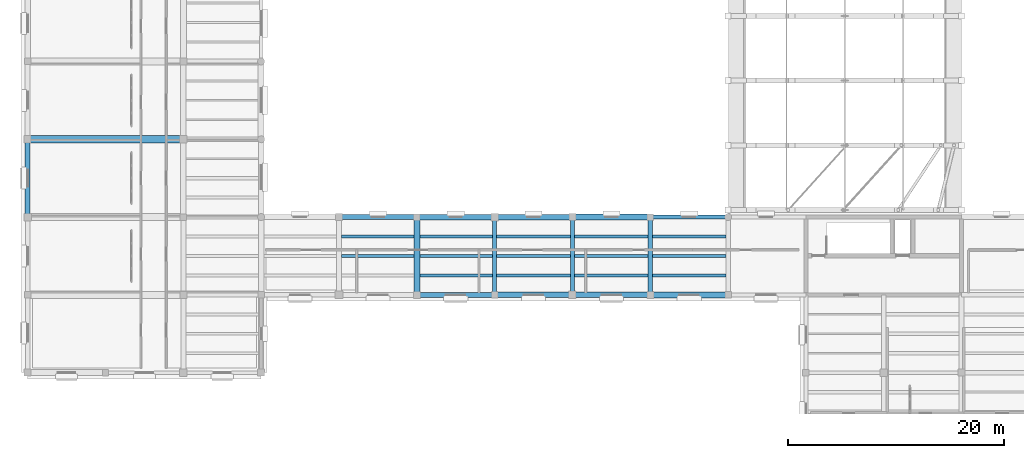
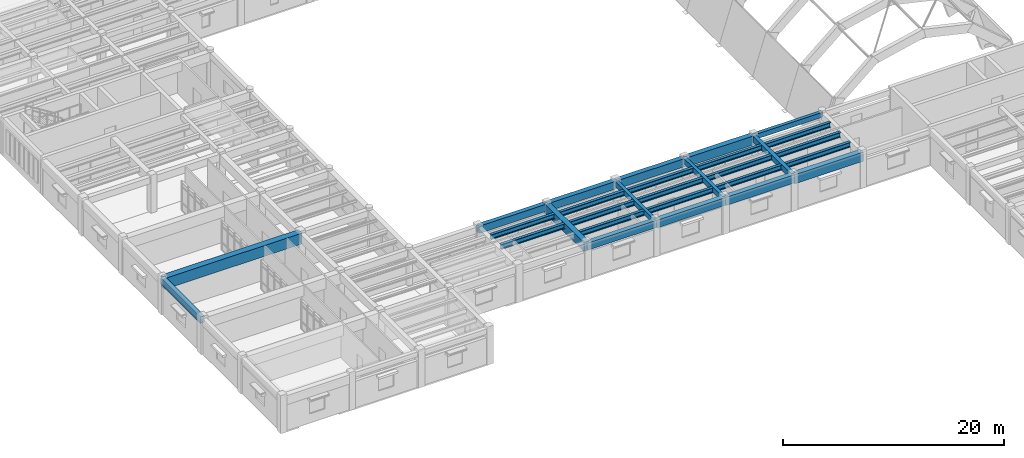
# One storey, part 3 of 66: 29 beams.
"""IFC4 building model written with IfcOpenShell, lengths in metres."""

from ifc_helpers import new_model, si_unit, direction, frame, origin, origin_2d, place, context, subcontext, project, spatial, rectangle, i_section, extrude, material, material_profile, profile_set, type_object, element, save


model = new_model("IFC4")

# Units and contexts
model_context = context("Model", 3, precision=1e-05, world=origin(), true_north=direction((0.0, 1.0)))
body_context = subcontext(model_context, "Body", "Model", "MODEL_VIEW")
ifc_project = project(units=[si_unit("LENGTHUNIT", "METRE"), si_unit("AREAUNIT", "SQUARE_METRE"), si_unit("VOLUMEUNIT", "CUBIC_METRE"), si_unit("PLANEANGLEUNIT", "RADIAN"), si_unit("MASSUNIT", "GRAM", prefix="KILO")], contexts=[model_context])

# Site, building, storey
site_placement = place(None, origin())
site = spatial("IfcSite", under=ifc_project, at=site_placement, CompositionType="ELEMENT")
building_placement = place(site_placement, origin())
building = spatial("IfcBuilding", under=site, at=building_placement, Name="Mithqara Police Headquarters", CompositionType="ELEMENT")
storey_placement = place(building_placement, frame((0.0, 0.0, 9.60009765625)))
storey = spatial("IfcBuildingStorey", under=building, at=storey_placement, Name="L02", CompositionType="ELEMENT", Elevation=9.60009765625)

# Beams
ifc_material_1 = material(Name="Steel S355JR", Category="steel")
ifc_material_profile_1 = material_profile(ifc_material_1, i_section(OverallWidth=0.300048828125, OverallDepth=0.550048828125, WebThickness=0.014892578125, FlangeThickness=0.029052734375, FilletRadius=0.027099609375, at=origin_2d()), Name="HEB 550")
ifc_profile_set_1 = profile_set([ifc_material_profile_1], Name="Steel S355JR")
beam_type_1 = type_object("IfcBeamType", Name="BEAM HEB550", PredefinedType="BEAM", material=ifc_profile_set_1)
for number, where, z_axis, x_axis, name in (
    (1, (36.85009765625, 31.800048828125, 3.664794921875), (1.0, 0.0, 0.0), (0.0, 1.0, 0.0), "L02 Composite Steel Joist 6-7/E.2"),
    (2, (36.85009765625, 33.60009765625, 3.664794921875), (1.0, 0.0, 0.0), (0.0, 1.0, 0.0), "L02 Composite Steel Joist 6-7/E.3"),
):
    element("IfcBeam", number, at=place(storey_placement, frame(where, z_axis=z_axis, x_axis=x_axis)), inside=storey, type_object=beam_type_1, Name=name, PredefinedType="BEAM", context=body_context, shape_type="SweptSolid", body=[
        extrude(i_section(OverallWidth=0.300048828125, OverallDepth=0.550048828125, WebThickness=0.014892578125, FlangeThickness=0.029052734375, FilletRadius=0.027099609375, at=origin_2d()), origin(), (0.0, 0.0, 1.0), 6.6748046875),
    ])
for number, where, z_axis, x_axis, name in (
    (3, (44.074951171875, 30.0, 3.664794921875), (1.0, 0.0, 0.0), (0.0, 1.0, 0.0), "L02 Composite Steel Joist 7-8/E.1"),
    (4, (44.074951171875, 31.800048828125, 3.664794921875), (1.0, 0.0, 0.0), (0.0, 1.0, 0.0), "L02 Composite Steel Joist 7-8/E.2"),
    (5, (44.074951171875, 33.60009765625, 3.664794921875), (1.0, 0.0, 0.0), (0.0, 1.0, 0.0), "L02 Composite Steel Joist 7-8/E.3"),
):
    element("IfcBeam", number, at=place(storey_placement, frame(where, z_axis=z_axis, x_axis=x_axis)), inside=storey, type_object=beam_type_1, Name=name, PredefinedType="BEAM", context=body_context, shape_type="SweptSolid", body=[
        extrude(i_section(OverallWidth=0.300048828125, OverallDepth=0.550048828125, WebThickness=0.014892578125, FlangeThickness=0.029052734375, FilletRadius=0.027099609375, at=origin_2d()), origin(), (0.0, 0.0, 1.0), 6.75),
    ])
for number, where, z_axis, x_axis, name in (
    (6, (51.175048828125, 30.0, 3.664794921875), (1.0, 0.0, 0.0), (0.0, 1.0, 0.0), "L02 Composite Steel Joist 8-9/E.1"),
    (7, (51.175048828125, 31.800048828125, 3.664794921875), (1.0, 0.0, 0.0), (0.0, 1.0, 0.0), "L02 Composite Steel Joist 8-9/E.2"),
    (8, (51.175048828125, 33.60009765625, 3.664794921875), (1.0, 0.0, 0.0), (0.0, 1.0, 0.0), "L02 Composite Steel Joist 8-9/E.3"),
):
    element("IfcBeam", number, at=place(storey_placement, frame(where, z_axis=z_axis, x_axis=x_axis)), inside=storey, type_object=beam_type_1, Name=name, PredefinedType="BEAM", context=body_context, shape_type="SweptSolid", body=[
        extrude(i_section(OverallWidth=0.300048828125, OverallDepth=0.550048828125, WebThickness=0.014892578125, FlangeThickness=0.029052734375, FilletRadius=0.027099609375, at=origin_2d()), origin(), (0.0, 0.0, 1.0), 6.849853515625),
    ])
for number, where, z_axis, x_axis, name in (
    (9, (58.375, 30.0, 3.664794921875), (1.0, 0.0, 0.0), (0.0, 1.0, 0.0), "L02 Composite Steel Joist 9-10/E.1"),
    (10, (58.375, 31.800048828125, 3.664794921875), (1.0, 0.0, 0.0), (0.0, 1.0, 0.0), "L02 Composite Steel Joist 9-10/E.2"),
    (11, (58.375, 33.60009765625, 3.664794921875), (1.0, 0.0, 0.0), (0.0, 1.0, 0.0), "L02 Composite Steel Joist 9-10/E.3"),
):
    element("IfcBeam", number, at=place(storey_placement, frame(where, z_axis=z_axis, x_axis=x_axis)), inside=storey, type_object=beam_type_1, Name=name, PredefinedType="BEAM", context=body_context, shape_type="SweptSolid", body=[
        extrude(i_section(OverallWidth=0.300048828125, OverallDepth=0.550048828125, WebThickness=0.014892578125, FlangeThickness=0.029052734375, FilletRadius=0.027099609375, at=origin_2d()), origin(), (0.0, 0.0, 1.0), 6.824951171875),
    ])
for number, where, z_axis, x_axis, name in (
    (12, (65.60009765625, 30.0, 3.664794921875), (1.0, 0.0, 0.0), (0.0, 1.0, 0.0), "L02 Composite Steel Joist 10-11/E.1"),
    (13, (65.60009765625, 31.800048828125, 3.664794921875), (1.0, 0.0, 0.0), (0.0, 1.0, 0.0), "L02 Composite Steel Joist 10-11/E.2"),
    (14, (65.60009765625, 33.60009765625, 3.664794921875), (1.0, 0.0, 0.0), (0.0, 1.0, 0.0), "L02 Composite Steel Joist 10-11/E.3"),
):
    element("IfcBeam", number, at=place(storey_placement, frame(where, z_axis=z_axis, x_axis=x_axis)), inside=storey, type_object=beam_type_1, Name=name, PredefinedType="BEAM", context=body_context, shape_type="SweptSolid", body=[
        extrude(i_section(OverallWidth=0.300048828125, OverallDepth=0.550048828125, WebThickness=0.014892578125, FlangeThickness=0.029052734375, FilletRadius=0.027099609375, at=origin_2d()), origin(), (0.0, 0.0, 1.0), 6.7998046875),
    ])
ifc_material_2 = material(Name="Concrete C40/50", Category="concrete")
ifc_material_profile_2 = material_profile(ifc_material_2, rectangle(XDim=0.35009765625, YDim=0.550048828125, at=origin_2d()), Name="RC 350x550")
ifc_profile_set_2 = profile_set([ifc_material_profile_2], Name="Concrete C40/50")
beam_type_2 = type_object("IfcBeamType", Name="BEAM RC350X550", PredefinedType="BEAM", material=ifc_profile_set_2)
beam_1_placement = place(storey_placement, frame((51.0, 28.199951171875, 3.664794921875), z_axis=(0.0, 1.0, 0.0), x_axis=(-1.0, 0.0, 0.0)))
element("IfcBeam", 15, at=beam_1_placement, inside=storey, type_object=beam_type_2, Name="L02 Girder 8/E-F", PredefinedType="BEAM", context=body_context, shape_type="SweptSolid", body=[
    extrude(rectangle(XDim=0.35009765625, YDim=0.550048828125, at=origin_2d()), origin(), (0.0, 0.0, 1.0), 7.199951171875),
])
beam_2_placement = place(storey_placement, frame((65.39990234375, 35.39990234375, 3.664794921875), z_axis=(1.0, 0.0, 0.0), x_axis=(0.0, 1.0, 0.0)))
element("IfcBeam", 16, at=beam_2_placement, inside=storey, type_object=beam_type_2, Name="L02 Girder 10-11/F", PredefinedType="BEAM", context=body_context, shape_type="SweptSolid", body=[
    extrude(rectangle(XDim=0.35009765625, YDim=0.550048828125, at=origin_2d()), origin(), (0.0, 0.0, 1.0), 7.2001953125),
])
ifc_material_profile_3 = material_profile(ifc_material_2, rectangle(XDim=0.35009765625, YDim=0.60009765625, at=origin_2d()), Name="RC 350x600")
ifc_profile_set_3 = profile_set([ifc_material_profile_3], Name="Concrete C40/50")
beam_type_3 = type_object("IfcBeamType", Name="BEAM RC350X600", PredefinedType="BEAM", material=ifc_profile_set_3)
beam_3_placement = place(storey_placement, frame((58.199951171875, 28.199951171875, 3.639892578125), z_axis=(0.0, 1.0, 0.0), x_axis=(-1.0, 0.0, 0.0)))
element("IfcBeam", 17, at=beam_3_placement, inside=storey, type_object=beam_type_3, Name="L02 Girder 9/E-F", PredefinedType="BEAM", context=body_context, shape_type="SweptSolid", body=[
    extrude(rectangle(XDim=0.35009765625, YDim=0.60009765625, at=origin_2d()), origin(), (0.0, 0.0, 1.0), 7.199951171875),
])
ifc_material_profile_4 = material_profile(ifc_material_2, rectangle(XDim=0.39990234375, YDim=0.64990234375, at=origin_2d()), Name="RC 400x650")
ifc_profile_set_4 = profile_set([ifc_material_profile_4], Name="Concrete C40/50")
beam_type_4 = type_object("IfcBeamType", Name="BEAM RC400X650", PredefinedType="BEAM", material=ifc_profile_set_4)
beam_4_placement = place(storey_placement, frame((65.39990234375, 28.199951171875, 3.614990234375), z_axis=(0.0, 1.0, 0.0), x_axis=(-1.0, 0.0, 0.0)))
element("IfcBeam", 18, at=beam_4_placement, inside=storey, type_object=beam_type_4, Name="L02 Girder 10/E-F", PredefinedType="BEAM", context=body_context, shape_type="SweptSolid", body=[
    extrude(rectangle(XDim=0.39990234375, YDim=0.64990234375, at=origin_2d()), origin(), (0.0, 0.0, 1.0), 7.199951171875),
])
ifc_material_profile_5 = material_profile(ifc_material_2, rectangle(XDim=0.449951171875, YDim=0.699951171875, at=origin_2d()), Name="RC 450x700")
ifc_profile_set_5 = profile_set([ifc_material_profile_5], Name="Concrete C40/50")
beam_type_5 = type_object("IfcBeamType", Name="BEAM RC450X700", PredefinedType="BEAM", material=ifc_profile_set_5)
beam_5_placement = place(storey_placement, frame((7.800048828125, 35.39990234375, 3.58984375), z_axis=(0.0, 1.0, 0.0), x_axis=(-1.0, 0.0, 0.0)))
element("IfcBeam", 19, at=beam_5_placement, inside=storey, type_object=beam_type_5, Name="L02 Girder 2/F-G", PredefinedType="BEAM", context=body_context, shape_type="SweptSolid", body=[
    extrude(rectangle(XDim=0.449951171875, YDim=0.699951171875, at=origin_2d()), origin(), (0.0, 0.0, 1.0), 7.2001953125),
])
ifc_material_profile_6 = material_profile(ifc_material_2, rectangle(XDim=0.449951171875, YDim=0.800048828125, at=origin_2d()), Name="RC 450x800")
ifc_profile_set_6 = profile_set([ifc_material_profile_6], Name="Concrete C40/50")
beam_type_6 = type_object("IfcBeamType", Name="BEAM RC450X800", PredefinedType="BEAM", material=ifc_profile_set_6)
for number, where, z_axis, x_axis, name in (
    (20, (36.60009765625, 35.39990234375, 3.539794921875), (1.0, 0.0, 0.0), (0.0, 1.0, 0.0), "L02 Girder 6-7/F"),
    (21, (43.800048828125, 28.199951171875, 3.539794921875), (1.0, 0.0, 0.0), (0.0, 1.0, 0.0), "L02 Girder 7-8/E"),
):
    element("IfcBeam", number, at=place(storey_placement, frame(where, z_axis=z_axis, x_axis=x_axis)), inside=storey, type_object=beam_type_6, Name=name, PredefinedType="BEAM", context=body_context, shape_type="SweptSolid", body=[
        extrude(rectangle(XDim=0.449951171875, YDim=0.800048828125, at=origin_2d()), origin(), (0.0, 0.0, 1.0), 7.199951171875),
    ])
ifc_material_profile_7 = material_profile(ifc_material_2, rectangle(XDim=0.5, YDim=0.85009765625, at=origin_2d()), Name="RC 500x850")
ifc_profile_set_7 = profile_set([ifc_material_profile_7], Name="Concrete C40/50")
beam_type_7 = type_object("IfcBeamType", Name="BEAM RC500X850", PredefinedType="BEAM", material=ifc_profile_set_7)
for number, where, z_axis, x_axis, name in (
    (22, (43.800048828125, 35.39990234375, 3.514892578125), (1.0, 0.0, 0.0), (0.0, 1.0, 0.0), "L02 Girder 7-8/F"),
    (23, (51.0, 28.199951171875, 3.514892578125), (1.0, 0.0, 0.0), (0.0, 1.0, 0.0), "L02 Girder 8-9/E"),
):
    element("IfcBeam", number, at=place(storey_placement, frame(where, z_axis=z_axis, x_axis=x_axis)), inside=storey, type_object=beam_type_7, Name=name, PredefinedType="BEAM", context=body_context, shape_type="SweptSolid", body=[
        extrude(rectangle(XDim=0.5, YDim=0.85009765625, at=origin_2d()), origin(), (0.0, 0.0, 1.0), 7.199951171875),
    ])
ifc_material_3 = material(Name="Concrete C50/60", Category="concrete")
ifc_material_profile_8 = material_profile(ifc_material_3, rectangle(XDim=0.5, YDim=0.89990234375, at=origin_2d()), Name="RC 500x900")
ifc_profile_set_8 = profile_set([ifc_material_profile_8], Name="Concrete C50/60")
beam_type_8 = type_object("IfcBeamType", Name="BEAM RC500X900", PredefinedType="BEAM", material=ifc_profile_set_8)
for number, where, z_axis, x_axis, name in (
    (24, (51.0, 35.39990234375, 3.489990234375), (1.0, 0.0, 0.0), (0.0, 1.0, 0.0), "L02 Girder 8-9/F"),
    (25, (58.199951171875, 28.199951171875, 3.489990234375), (1.0, 0.0, 0.0), (0.0, 1.0, 0.0), "L02 Girder 9-10/E"),
):
    element("IfcBeam", number, at=place(storey_placement, frame(where, z_axis=z_axis, x_axis=x_axis)), inside=storey, type_object=beam_type_8, Name=name, PredefinedType="BEAM", context=body_context, shape_type="SweptSolid", body=[
        extrude(rectangle(XDim=0.5, YDim=0.89990234375, at=origin_2d()), origin(), (0.0, 0.0, 1.0), 7.199951171875),
    ])
ifc_material_profile_9 = material_profile(ifc_material_3, rectangle(XDim=0.550048828125, YDim=1.0, at=origin_2d()), Name="RC 550x1000")
ifc_profile_set_9 = profile_set([ifc_material_profile_9], Name="Concrete C50/60")
beam_type_9 = type_object("IfcBeamType", Name="BEAM RC550X1000", PredefinedType="BEAM", material=ifc_profile_set_9)
for number, where, z_axis, x_axis, name in (
    (26, (43.800048828125, 28.199951171875, 3.43994140625), (0.0, 1.0, 0.0), (-1.0, 0.0, 0.0), "L02 Girder 7/E-F"),
    (27, (58.199951171875, 35.39990234375, 3.43994140625), (1.0, 0.0, 0.0), (0.0, 1.0, 0.0), "L02 Girder 9-10/F"),
):
    element("IfcBeam", number, at=place(storey_placement, frame(where, z_axis=z_axis, x_axis=x_axis)), inside=storey, type_object=beam_type_9, Name=name, PredefinedType="BEAM", context=body_context, shape_type="SweptSolid", body=[
        extrude(rectangle(XDim=0.550048828125, YDim=1.0, at=origin_2d()), origin(), (0.0, 0.0, 1.0), 7.199951171875),
    ])
beam_6_placement = place(storey_placement, frame((65.39990234375, 28.199951171875, 3.43994140625), z_axis=(1.0, 0.0, 0.0), x_axis=(0.0, 1.0, 0.0)))
element("IfcBeam", 28, at=beam_6_placement, inside=storey, type_object=beam_type_9, Name="L02 Girder 10-11/E", PredefinedType="BEAM", context=body_context, shape_type="SweptSolid", body=[
    extrude(rectangle(XDim=0.550048828125, YDim=1.0, at=origin_2d()), origin(), (0.0, 0.0, 1.0), 7.2001953125),
])
ifc_material_profile_10 = material_profile(ifc_material_3, rectangle(XDim=0.64990234375, YDim=1.199951171875, at=origin_2d()), Name="RC 650x1200")
ifc_profile_set_10 = profile_set([ifc_material_profile_10], Name="Concrete C50/60")
beam_type_10 = type_object("IfcBeamType", Name="TRANSFER RC650X1200", PredefinedType="BEAM", material=ifc_profile_set_10)
beam_7_placement = place(storey_placement, frame((7.800048828125, 42.60009765625, 3.33984375), z_axis=(1.0, 0.0, 0.0), x_axis=(0.0, 1.0, 0.0)))
element("IfcBeam", 29, at=beam_7_placement, inside=storey, type_object=beam_type_10, Name="L02 Girder 2-4/G", PredefinedType="BEAM", context=body_context, shape_type="SweptSolid", body=[
    extrude(rectangle(XDim=0.64990234375, YDim=1.199951171875, at=origin_2d()), origin(), (0.0, 0.0, 1.0), 14.39990234375),
])

save(model, "model.ifc")
